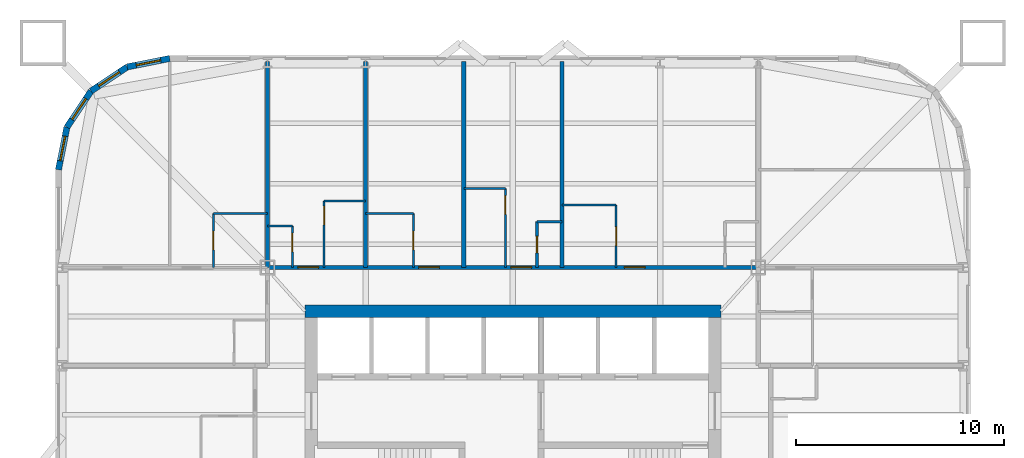
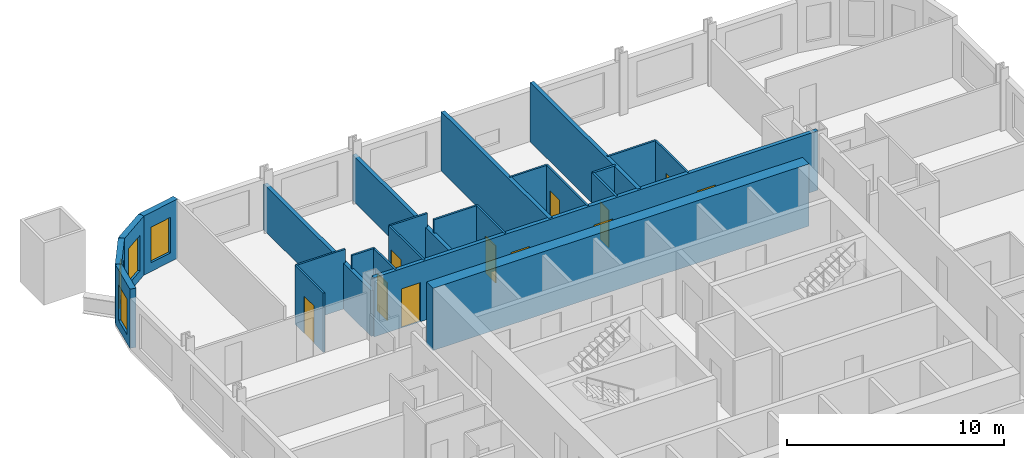
# One storey, part 7 of 10: 24 walls, 11 doors, 4 windows, 15 openings.
"""IFC4 building model written with IfcOpenShell, lengths in metres."""

from ifc_helpers import new_model, si_unit, direction, frame, frame_2d, origin, place, context, subcontext, project, spatial, rectangle, extrude, material, layer, layer_set, type_object, element, fill, save


model = new_model("IFC4")

# Units and contexts
model_context = context("Model", 3, precision=1e-05, world=origin(), true_north=direction((0.0, 1.0)))
body_context = subcontext(model_context, "Body", "Model", "MODEL_VIEW")
ifc_project = project(units=[si_unit("LENGTHUNIT", "METRE"), si_unit("AREAUNIT", "SQUARE_METRE"), si_unit("VOLUMEUNIT", "CUBIC_METRE"), si_unit("PLANEANGLEUNIT", "RADIAN"), si_unit("MASSUNIT", "GRAM", prefix="KILO")], contexts=[model_context])

# Site, building, storey
site_placement = place(None, origin())
site = spatial("IfcSite", under=ifc_project, at=site_placement, CompositionType="ELEMENT")
building_placement = place(site_placement, origin())
building = spatial("IfcBuilding", under=site, at=building_placement, Name="Turquesa Mirador Hotel Tower", CompositionType="ELEMENT")
storey_placement = place(building_placement, frame((0.0, 0.0, 53.0)))
storey = spatial("IfcBuildingStorey", under=building, at=storey_placement, Name="L13", CompositionType="ELEMENT", Elevation=53.0)

# Walls
ifc_material_1 = material(Name="Gypsum board on steel studs", Category="steel")
ifc_layer_1 = layer(ifc_material_1, 0.10009765625)
ifc_layer_set_1 = layer_set([ifc_layer_1], Name="BATHROOM WALL 100")
wall_type_1 = type_object("IfcWallType", Name="BATHROOM WALL 100", PredefinedType="PARTITIONING", material=ifc_layer_set_1)
wall_1_placement = place(storey_placement, frame((43.199951171875, 58.800048828125, 0.0), z_axis=(0.0, 0.0, 1.0), x_axis=(1.0, 0.0, 0.0)))
element("IfcWall", 1, at=wall_1_placement, inside=storey, type_object=wall_type_1, Name="Partition L13 029", PredefinedType="PARTITIONING", context=body_context, shape_type="SweptSolid", body=[
    extrude(rectangle(XDim=1.199951171875, YDim=0.10009765625, at=frame_2d((0.60009765625, 0.0))), origin(), (0.0, 0.0, 1.0), 3.330078125),
])
wall_2_placement = place(storey_placement, frame((40.60009765625, 59.39990234375, 0.0), z_axis=(0.0, 0.0, 1.0), x_axis=(1.0, 0.0, 0.0)))
element("IfcWall", 2, at=wall_2_placement, inside=storey, type_object=wall_type_1, Name="Partition L13 032", PredefinedType="PARTITIONING", context=body_context, shape_type="SweptSolid", body=[
    extrude(rectangle(XDim=2.599853515625, YDim=0.10009765625, at=frame_2d((1.2998046875, 0.0))), origin(), (0.0, 0.0, 1.0), 3.330078125),
])
wall_3_placement = place(storey_placement, frame((47.919921875, 59.39990234375, 0.0), z_axis=(0.0, 0.0, 1.0), x_axis=(1.0, 0.0, 0.0)))
element("IfcWall", 3, at=wall_3_placement, inside=storey, type_object=wall_type_1, Name="Partition L13 033", PredefinedType="PARTITIONING", context=body_context, shape_type="SweptSolid", body=[
    extrude(rectangle(XDim=2.300048828125, YDim=0.10009765625, at=frame_2d((1.14990234375, 0.0))), origin(), (0.0, 0.0, 1.0), 3.330078125),
])
wall_4_placement = place(storey_placement, frame((57.360107421875, 59.800048828125, 0.0), z_axis=(0.0, 0.0, 1.0), x_axis=(1.0, 0.0, 0.0)))
element("IfcWall", 4, at=wall_4_placement, inside=storey, type_object=wall_type_1, Name="Partition L13 034", PredefinedType="PARTITIONING", context=body_context, shape_type="SweptSolid", body=[
    extrude(rectangle(XDim=2.599853515625, YDim=0.10009765625, at=frame_2d((1.2998046875, 0.0))), origin(), (0.0, 0.0, 1.0), 3.330078125),
])
for number, where, z_axis, x_axis, name in (
    (5, (45.919921875, 60.0, 0.0), (0.0, 0.0, 1.0), (1.0, 0.0, 0.0), "Partition L13 035"),
    (6, (52.639892578125, 60.60009765625, 0.0), (0.0, 0.0, 1.0), (1.0, 0.0, 0.0), "Partition L13 036"),
):
    element("IfcWall", number, at=place(storey_placement, frame(where, z_axis=z_axis, x_axis=x_axis)), inside=storey, type_object=wall_type_1, Name=name, PredefinedType="PARTITIONING", context=body_context, shape_type="SweptSolid", body=[
        extrude(rectangle(XDim=2.0, YDim=0.10009765625, at=frame_2d((1.0, 0.0))), origin(), (0.0, 0.0, 1.0), 3.330078125),
    ])

# Wall, opening, door
wall_5_placement = place(storey_placement, frame((54.639892578125, 56.800048828125, 0.0), z_axis=(0.0, 0.0, 1.0), x_axis=(0.0, 1.0, 0.0)))
wall_5 = element("IfcWall", 7, at=wall_5_placement, inside=storey, type_object=wall_type_1, Name="Partition L13 048", PredefinedType="PARTITIONING", context=body_context, shape_type="SweptSolid", body=[
    extrude(rectangle(XDim=3.800048828125, YDim=0.10009765625, at=frame_2d((1.89990234375, 0.0))), origin(), (0.0, 0.0, 1.0), 3.330078125),
])
opening_1_placement = place(wall_5_placement, frame((2.550048828125, 0.0, 0.0)))
opening_1 = element("IfcOpeningElement", 8, at=opening_1_placement, cuts=wall_5, Name="Opening D02", PredefinedType="OPENING", context=body_context, shape_type="SweptSolid", body=[
    extrude(rectangle(XDim=0.89990234375, YDim=2.10009765625, at=frame_2d((0.449951171875, 1.050048828125))), frame((0.0, 0.06005859375, 0.0), z_axis=(0.0, -1.0, 0.0), x_axis=(1.0, 0.0, 0.0)), (0.0, 0.0, 1.0), 0.1201171875),
])
ifc_material_2 = material(Name="Timber veneered door", Category="wood")
door_type_1 = type_object("IfcDoorType", Name="DOOR 900X2100 EN-SUITE", OperationType="SINGLE_SWING_RIGHT", PredefinedType="DOOR", material=ifc_material_2)
door_1_placement = place(opening_1_placement, origin())
door_1 = element("IfcDoor", 9, at=door_1_placement, inside=storey, type_object=door_type_1, Name="Door 1303B", OperationType="SINGLE_SWING_RIGHT", OverallHeight=2.10009765625, OverallWidth=0.89990234375, PredefinedType="DOOR", context=body_context, shape_type="SweptSolid", body=[
    extrude(rectangle(XDim=0.89990234375, YDim=2.10009765625, at=frame_2d((0.449951171875, 1.050048828125))), frame((0.0, 0.02490234375, 0.0), z_axis=(0.0, -1.0, 0.0), x_axis=(1.0, 0.0, 0.0)), (0.0, 0.0, 1.0), 0.050048828125),
])
fill(opening_1, door_1)

wall_6_placement = place(storey_placement, frame((44.39990234375, 56.800048828125, 0.0), z_axis=(0.0, 0.0, 1.0), x_axis=(0.0, 1.0, 0.0)))
wall_6 = element("IfcWall", 10, at=wall_6_placement, inside=storey, type_object=wall_type_1, Name="Partition L13 049", PredefinedType="PARTITIONING", context=body_context, shape_type="SweptSolid", body=[
    extrude(rectangle(XDim=2.0, YDim=0.10009765625, at=frame_2d((1.0, 0.0))), origin(), (0.0, 0.0, 1.0), 3.330078125),
])
opening_2_placement = place(wall_6_placement, frame((0.75, 0.0, 0.0)))
opening_2 = element("IfcOpeningElement", 11, at=opening_2_placement, cuts=wall_6, Name="Opening D06", PredefinedType="OPENING", context=body_context, shape_type="SweptSolid", body=[
    extrude(rectangle(XDim=0.89990234375, YDim=2.10009765625, at=frame_2d((0.449951171875, 1.050048828125))), frame((0.0, 0.06005859375, 0.0), z_axis=(0.0, -1.0, 0.0), x_axis=(1.0, 0.0, 0.0)), (0.0, 0.0, 1.0), 0.1201171875),
])
ifc_material_3 = material(Name="Laminate door", Category="wood")
door_type_2 = type_object("IfcDoorType", Name="DOOR 900X2100 WC", OperationType="SINGLE_SWING_LEFT", PredefinedType="DOOR", material=ifc_material_3)
door_2_placement = place(opening_2_placement, origin())
door_2 = element("IfcDoor", 12, at=door_2_placement, inside=storey, type_object=door_type_2, Name="Door 1301W", OperationType="SINGLE_SWING_LEFT", OverallHeight=2.10009765625, OverallWidth=0.89990234375, PredefinedType="DOOR", context=body_context, shape_type="SweptSolid", body=[
    extrude(rectangle(XDim=0.89990234375, YDim=2.10009765625, at=frame_2d((0.449951171875, 1.050048828125))), frame((0.0, 0.02490234375, 0.0), z_axis=(0.0, -1.0, 0.0), x_axis=(1.0, 0.0, 0.0)), (0.0, 0.0, 1.0), 0.050048828125),
])
fill(opening_2, door_2)

wall_7_placement = place(storey_placement, frame((40.60009765625, 56.800048828125, 0.0), z_axis=(0.0, 0.0, 1.0), x_axis=(0.0, 1.0, 0.0)))
wall_7 = element("IfcWall", 13, at=wall_7_placement, inside=storey, type_object=wall_type_1, Name="Partition L13 058", PredefinedType="PARTITIONING", context=body_context, shape_type="SweptSolid", body=[
    extrude(rectangle(XDim=2.599853515625, YDim=0.10009765625, at=frame_2d((1.2998046875, 0.0))), origin(), (0.0, 0.0, 1.0), 3.330078125),
])
opening_3_placement = place(wall_7_placement, frame((0.85009765625, 0.0, 0.0)))
opening_3 = element("IfcOpeningElement", 14, at=opening_3_placement, cuts=wall_7, Name="Opening D02", PredefinedType="OPENING", context=body_context, shape_type="SweptSolid", body=[
    extrude(rectangle(XDim=0.89990234375, YDim=2.10009765625, at=frame_2d((0.449951171875, 1.050048828125))), frame((0.0, 0.06005859375, 0.0), z_axis=(0.0, -1.0, 0.0), x_axis=(1.0, 0.0, 0.0)), (0.0, 0.0, 1.0), 0.1201171875),
])
door_3_placement = place(opening_3_placement, origin())
door_3 = element("IfcDoor", 15, at=door_3_placement, inside=storey, type_object=door_type_1, Name="Door 1314B", OperationType="SINGLE_SWING_RIGHT", OverallHeight=2.10009765625, OverallWidth=0.89990234375, PredefinedType="DOOR", context=body_context, shape_type="SweptSolid", body=[
    extrude(rectangle(XDim=0.89990234375, YDim=2.10009765625, at=frame_2d((0.449951171875, 1.050048828125))), frame((0.0, 0.02490234375, 0.0), z_axis=(0.0, -1.0, 0.0), x_axis=(1.0, 0.0, 0.0)), (0.0, 0.0, 1.0), 0.050048828125),
])
fill(opening_3, door_3)

wall_8_placement = place(storey_placement, frame((50.219970703125, 56.800048828125, 0.0), z_axis=(0.0, 0.0, 1.0), x_axis=(0.0, 1.0, 0.0)))
wall_8 = element("IfcWall", 16, at=wall_8_placement, inside=storey, type_object=wall_type_1, Name="Partition L13 067", PredefinedType="PARTITIONING", context=body_context, shape_type="SweptSolid", body=[
    extrude(rectangle(XDim=2.599853515625, YDim=0.10009765625, at=frame_2d((1.2998046875, 0.0))), origin(), (0.0, 0.0, 1.0), 3.330078125),
])
opening_4_placement = place(wall_8_placement, frame((0.85009765625, 0.0, 0.0)))
opening_4 = element("IfcOpeningElement", 17, at=opening_4_placement, cuts=wall_8, Name="Opening D02", PredefinedType="OPENING", context=body_context, shape_type="SweptSolid", body=[
    extrude(rectangle(XDim=0.89990234375, YDim=2.10009765625, at=frame_2d((0.449951171875, 1.050048828125))), frame((0.0, 0.06005859375, 0.0), z_axis=(0.0, -1.0, 0.0), x_axis=(1.0, 0.0, 0.0)), (0.0, 0.0, 1.0), 0.1201171875),
])
door_4_placement = place(opening_4_placement, origin())
door_4 = element("IfcDoor", 18, at=door_4_placement, inside=storey, type_object=door_type_1, Name="Door 1302B", OperationType="SINGLE_SWING_RIGHT", OverallHeight=2.10009765625, OverallWidth=0.89990234375, PredefinedType="DOOR", context=body_context, shape_type="SweptSolid", body=[
    extrude(rectangle(XDim=0.89990234375, YDim=2.10009765625, at=frame_2d((0.449951171875, 1.050048828125))), frame((0.0, 0.02490234375, 0.0), z_axis=(0.0, -1.0, 0.0), x_axis=(1.0, 0.0, 0.0)), (0.0, 0.0, 1.0), 0.050048828125),
])
fill(opening_4, door_4)

wall_9_placement = place(storey_placement, frame((45.919921875, 56.800048828125, 0.0), z_axis=(0.0, 0.0, 1.0), x_axis=(0.0, 1.0, 0.0)))
wall_9 = element("IfcWall", 19, at=wall_9_placement, inside=storey, type_object=wall_type_1, Name="Partition L13 069", PredefinedType="PARTITIONING", context=body_context, shape_type="SweptSolid", body=[
    extrude(rectangle(XDim=3.199951171875, YDim=0.10009765625, at=frame_2d((1.60009765625, 0.0))), origin(), (0.0, 0.0, 1.0), 3.330078125),
])
opening_5_placement = place(wall_9_placement, frame((2.050048828125, 0.0, 0.0)))
opening_5 = element("IfcOpeningElement", 20, at=opening_5_placement, cuts=wall_9, Name="Opening D02", PredefinedType="OPENING", context=body_context, shape_type="SweptSolid", body=[
    extrude(rectangle(XDim=0.89990234375, YDim=2.10009765625, at=frame_2d((0.449951171875, 1.050048828125))), frame((0.0, 0.06005859375, 0.0), z_axis=(0.0, -1.0, 0.0), x_axis=(1.0, 0.0, 0.0)), (0.0, 0.0, 1.0), 0.1201171875),
])
door_5_placement = place(opening_5_placement, origin())
door_5 = element("IfcDoor", 21, at=door_5_placement, inside=storey, type_object=door_type_1, Name="Door 1301B", OperationType="SINGLE_SWING_RIGHT", OverallHeight=2.10009765625, OverallWidth=0.89990234375, PredefinedType="DOOR", context=body_context, shape_type="SweptSolid", body=[
    extrude(rectangle(XDim=0.89990234375, YDim=2.10009765625, at=frame_2d((0.449951171875, 1.050048828125))), frame((0.0, 0.02490234375, 0.0), z_axis=(0.0, -1.0, 0.0), x_axis=(1.0, 0.0, 0.0)), (0.0, 0.0, 1.0), 0.050048828125),
])
fill(opening_5, door_5)

wall_10_placement = place(storey_placement, frame((59.9599609375, 56.800048828125, 0.0), z_axis=(0.0, 0.0, 1.0), x_axis=(0.0, 1.0, 0.0)))
wall_10 = element("IfcWall", 22, at=wall_10_placement, inside=storey, type_object=wall_type_1, Name="Partition L13 089", PredefinedType="PARTITIONING", context=body_context, shape_type="SweptSolid", body=[
    extrude(rectangle(XDim=3.0, YDim=0.10009765625, at=frame_2d((1.5, 0.0))), origin(), (0.0, 0.0, 1.0), 3.330078125),
])
opening_6_placement = place(wall_10_placement, frame((1.050048828125, 0.0, 0.0)))
opening_6 = element("IfcOpeningElement", 23, at=opening_6_placement, cuts=wall_10, Name="Opening D02", PredefinedType="OPENING", context=body_context, shape_type="SweptSolid", body=[
    extrude(rectangle(XDim=0.89990234375, YDim=2.10009765625, at=frame_2d((0.449951171875, 1.050048828125))), frame((0.0, 0.06005859375, 0.0), z_axis=(0.0, -1.0, 0.0), x_axis=(1.0, 0.0, 0.0)), (0.0, 0.0, 1.0), 0.1201171875),
])
door_6_placement = place(opening_6_placement, origin())
door_6 = element("IfcDoor", 24, at=door_6_placement, inside=storey, type_object=door_type_1, Name="Door 1304B", OperationType="SINGLE_SWING_RIGHT", OverallHeight=2.10009765625, OverallWidth=0.89990234375, PredefinedType="DOOR", context=body_context, shape_type="SweptSolid", body=[
    extrude(rectangle(XDim=0.89990234375, YDim=2.10009765625, at=frame_2d((0.449951171875, 1.050048828125))), frame((0.0, 0.02490234375, 0.0), z_axis=(0.0, -1.0, 0.0), x_axis=(1.0, 0.0, 0.0)), (0.0, 0.0, 1.0), 0.050048828125),
])
fill(opening_6, door_6)

# Wall
ifc_material_4 = material(Name="Concrete C50/60", Category="concrete")
ifc_layer_2 = layer(ifc_material_4, 0.60009765625)
ifc_layer_set_2 = layer_set([ifc_layer_2], Name="CORE WALL 600")
wall_type_2 = type_object("IfcWallType", Name="CORE WALL 600", PredefinedType="SHEAR", material=ifc_layer_set_2)
wall_11_placement = place(storey_placement, frame((45.0, 54.699951171875, 0.0), z_axis=(0.0, 0.0, 1.0), x_axis=(1.0, 0.0, 0.0)))
element("IfcWall", 25, at=wall_11_placement, inside=storey, type_object=wall_type_2, Name="Core wall N", PredefinedType="SHEAR", context=body_context, shape_type="SweptSolid", body=[
    extrude(rectangle(XDim=20.0, YDim=0.60009765625, at=frame_2d((10.0, 0.0))), origin(), (0.0, 0.0, 1.0), 3.5),
])

# Wall, openings, doors
ifc_material_5 = material(Name="Fire-rated gypsum board on steel studs", Category="steel")
ifc_layer_3 = layer(ifc_material_5, 0.199951171875)
ifc_layer_set_3 = layer_set([ifc_layer_3], Name="CORRIDOR WALL 200")
wall_type_3 = type_object("IfcWallType", Name="CORRIDOR WALL 200", PredefinedType="PARTITIONING", material=ifc_layer_set_3)
wall_12_placement = place(storey_placement, frame((43.199951171875, 56.800048828125, 0.0), z_axis=(0.0, 0.0, 1.0), x_axis=(1.0, 0.0, 0.0)))
wall_12 = element("IfcWall", 26, at=wall_12_placement, inside=storey, type_object=wall_type_3, Name="Partition L13 026", PredefinedType="PARTITIONING", context=body_context, shape_type="SweptSolid", body=[
    extrude(rectangle(XDim=23.60009765625, YDim=0.199951171875, at=frame_2d((11.800048828125, 0.0))), origin(), (0.0, 0.0, 1.0), 3.330078125),
])
opening_7_placement = place(wall_12_placement, frame((1.4599609375, 0.0, 0.0)))
opening_7 = element("IfcOpeningElement", 27, at=opening_7_placement, cuts=wall_12, Name="Opening D01", PredefinedType="OPENING", context=body_context, shape_type="SweptSolid", body=[
    extrude(rectangle(XDim=1.0, YDim=2.199951171875, at=frame_2d((0.5, 1.10009765625))), frame((0.0, 0.10986328125, 0.0), z_axis=(0.0, -1.0, 0.0), x_axis=(1.0, 0.0, 0.0)), (0.0, 0.0, 1.0), 0.219970703125),
])
opening_8_placement = place(wall_12_placement, frame((7.27001953125, 0.0, 0.0)))
opening_8 = element("IfcOpeningElement", 28, at=opening_8_placement, cuts=wall_12, Name="Opening D01", PredefinedType="OPENING", context=body_context, shape_type="SweptSolid", body=[
    extrude(rectangle(XDim=1.0, YDim=2.199951171875, at=frame_2d((0.5, 1.10009765625))), frame((0.0, 0.10986328125, 0.0), z_axis=(0.0, -1.0, 0.0), x_axis=(1.0, 0.0, 0.0)), (0.0, 0.0, 1.0), 0.219970703125),
])
opening_9_placement = place(wall_12_placement, frame((11.699951171875, 0.0, 0.0)))
opening_9 = element("IfcOpeningElement", 29, at=opening_9_placement, cuts=wall_12, Name="Opening D01", PredefinedType="OPENING", context=body_context, shape_type="SweptSolid", body=[
    extrude(rectangle(XDim=1.0, YDim=2.199951171875, at=frame_2d((0.5, 1.10009765625))), frame((0.0, 0.10986328125, 0.0), z_axis=(0.0, -1.0, 0.0), x_axis=(1.0, 0.0, 0.0)), (0.0, 0.0, 1.0), 0.219970703125),
])
opening_10_placement = place(wall_12_placement, frame((17.159912109375, 0.0, 0.0)))
opening_10 = element("IfcOpeningElement", 30, at=opening_10_placement, cuts=wall_12, Name="Opening D01", PredefinedType="OPENING", context=body_context, shape_type="SweptSolid", body=[
    extrude(rectangle(XDim=1.0, YDim=2.199951171875, at=frame_2d((0.5, 1.10009765625))), frame((0.0, 0.10986328125, 0.0), z_axis=(0.0, -1.0, 0.0), x_axis=(1.0, 0.0, 0.0)), (0.0, 0.0, 1.0), 0.219970703125),
])
ifc_material_6 = material(Name="Timber veneered fire door", Category="wood")
door_type_3 = type_object("IfcDoorType", Name="DOOR 1000X2200 GUEST ENTRY", OperationType="SINGLE_SWING_LEFT", PredefinedType="DOOR", material=ifc_material_6)
door_7_placement = place(opening_7_placement, origin())
door_7 = element("IfcDoor", 31, at=door_7_placement, inside=storey, type_object=door_type_3, Name="Door 1301", OperationType="SINGLE_SWING_LEFT", OverallHeight=2.199951171875, OverallWidth=1.0, PredefinedType="DOOR", context=body_context, shape_type="SweptSolid", body=[
    extrude(rectangle(XDim=1.0, YDim=2.199951171875, at=frame_2d((0.5, 1.10009765625))), frame((0.0, 0.02490234375, 0.0), z_axis=(0.0, -1.0, 0.0), x_axis=(1.0, 0.0, 0.0)), (0.0, 0.0, 1.0), 0.050048828125),
])
fill(opening_7, door_7)
door_8_placement = place(opening_8_placement, origin())
door_8 = element("IfcDoor", 32, at=door_8_placement, inside=storey, type_object=door_type_3, Name="Door 1302", OperationType="SINGLE_SWING_LEFT", OverallHeight=2.199951171875, OverallWidth=1.0, PredefinedType="DOOR", context=body_context, shape_type="SweptSolid", body=[
    extrude(rectangle(XDim=1.0, YDim=2.199951171875, at=frame_2d((0.5, 1.10009765625))), frame((0.0, 0.02490234375, 0.0), z_axis=(0.0, -1.0, 0.0), x_axis=(1.0, 0.0, 0.0)), (0.0, 0.0, 1.0), 0.050048828125),
])
fill(opening_8, door_8)
door_9_placement = place(opening_9_placement, origin())
door_9 = element("IfcDoor", 33, at=door_9_placement, inside=storey, type_object=door_type_3, Name="Door 1303", OperationType="SINGLE_SWING_LEFT", OverallHeight=2.199951171875, OverallWidth=1.0, PredefinedType="DOOR", context=body_context, shape_type="SweptSolid", body=[
    extrude(rectangle(XDim=1.0, YDim=2.199951171875, at=frame_2d((0.5, 1.10009765625))), frame((0.0, 0.02490234375, 0.0), z_axis=(0.0, -1.0, 0.0), x_axis=(1.0, 0.0, 0.0)), (0.0, 0.0, 1.0), 0.050048828125),
])
fill(opening_9, door_9)
door_10_placement = place(opening_10_placement, origin())
door_10 = element("IfcDoor", 34, at=door_10_placement, inside=storey, type_object=door_type_3, Name="Door 1304", OperationType="SINGLE_SWING_LEFT", OverallHeight=2.199951171875, OverallWidth=1.0, PredefinedType="DOOR", context=body_context, shape_type="SweptSolid", body=[
    extrude(rectangle(XDim=1.0, YDim=2.199951171875, at=frame_2d((0.5, 1.10009765625))), frame((0.0, 0.02490234375, 0.0), z_axis=(0.0, -1.0, 0.0), x_axis=(1.0, 0.0, 0.0)), (0.0, 0.0, 1.0), 0.050048828125),
])
fill(opening_10, door_10)

# Wall, opening, window
ifc_material_7 = material(Name="Limestone cladding on concrete block", Category="masonry")
ifc_layer_4 = layer(ifc_material_7, 0.300048828125)
ifc_layer_set_4 = layer_set([ifc_layer_4], Name="FACADE WALL 300 STONE SCREEN")
wall_type_4 = type_object("IfcWallType", Name="FACADE WALL 300 STONE SCREEN", PredefinedType="SOLIDWALL", material=ifc_layer_set_4)
wall_13_placement = place(storey_placement, frame((38.5, 66.85009765625, 0.0), z_axis=(0.0, 0.0, 1.0), x_axis=(-0.980787050784, -0.195081421501, 0.0)))
wall_13 = element("IfcWall", 35, at=wall_13_placement, inside=storey, type_object=wall_type_4, Name="Facade wall L13 10", PredefinedType="SOLIDWALL", context=body_context, shape_type="SweptSolid", body=[
    extrude(rectangle(XDim=2.08740234375, YDim=0.300048828125, at=frame_2d((1.043701171875, 0.0))), origin(), (0.0, 0.0, 1.0), 3.330078125),
])
opening_11_placement = place(wall_13_placement, frame((0.443603515625, 0.0, 0.5)))
opening_11 = element("IfcOpeningElement", 36, at=opening_11_placement, cuts=wall_13, Name="Opening WN4", PredefinedType="OPENING", context=body_context, shape_type="SweptSolid", body=[
    extrude(rectangle(XDim=1.199951171875, YDim=2.0, at=frame_2d((0.60009765625, 1.0))), frame((0.0, 0.159912109375, 0.0), z_axis=(0.0, -1.0, 0.0), x_axis=(1.0, 0.0, 0.0)), (0.0, 0.0, 1.0), 0.320068359375),
])
ifc_material_8 = material(Name="Ceramic-fritted laminated glass", Category="glass")
window_type = type_object("IfcWindowType", Name="FRITTED CORNER WINDOW 1200X2000", PartitioningType="DOUBLE_PANEL_HORIZONTAL", PredefinedType="WINDOW", material=ifc_material_8)
window_1_placement = place(opening_11_placement, origin())
window_1 = element("IfcWindow", 37, at=window_1_placement, inside=storey, type_object=window_type, Name="Window L13", OverallHeight=2.0, OverallWidth=1.199951171875, PartitioningType="SINGLE_PANEL", PredefinedType="WINDOW", context=body_context, shape_type="SweptSolid", body=[
    extrude(rectangle(XDim=1.199951171875, YDim=2.0, at=frame_2d((0.60009765625, 1.0))), frame((0.0, 0.030029296875, 0.0), z_axis=(0.0, -1.0, 0.0), x_axis=(1.0, 0.0, 0.0)), (0.0, 0.0, 1.0), 0.06005859375),
])
fill(opening_11, window_1)

wall_14_placement = place(storey_placement, frame((36.45263671875, 66.44287109375, 0.0), z_axis=(0.0, 0.0, 1.0), x_axis=(-0.831420010345, -0.555644460423, 0.0)))
wall_14 = element("IfcWall", 38, at=wall_14_placement, inside=storey, type_object=wall_type_4, Name="Facade wall L13 11", PredefinedType="SOLIDWALL", context=body_context, shape_type="SweptSolid", body=[
    extrude(rectangle(XDim=2.08740234375, YDim=0.300048828125, at=frame_2d((1.043701171875, 0.0))), origin(), (0.0, 0.0, 1.0), 3.330078125),
])
opening_12_placement = place(wall_14_placement, frame((0.443603515625, 0.0, 0.5)))
opening_12 = element("IfcOpeningElement", 39, at=opening_12_placement, cuts=wall_14, Name="Opening WN4", PredefinedType="OPENING", context=body_context, shape_type="SweptSolid", body=[
    extrude(rectangle(XDim=1.199951171875, YDim=2.0, at=frame_2d((0.60009765625, 1.0))), frame((0.0, 0.159912109375, 0.0), z_axis=(0.0, -1.0, 0.0), x_axis=(1.0, 0.0, 0.0)), (0.0, 0.0, 1.0), 0.320068359375),
])
window_2_placement = place(opening_12_placement, origin())
window_2 = element("IfcWindow", 40, at=window_2_placement, inside=storey, type_object=window_type, Name="Window L13", OverallHeight=2.0, OverallWidth=1.199951171875, PartitioningType="SINGLE_PANEL", PredefinedType="WINDOW", context=body_context, shape_type="SweptSolid", body=[
    extrude(rectangle(XDim=1.199951171875, YDim=2.0, at=frame_2d((0.60009765625, 1.0))), frame((0.0, 0.030029296875, 0.0), z_axis=(0.0, -1.0, 0.0), x_axis=(1.0, 0.0, 0.0)), (0.0, 0.0, 1.0), 0.06005859375),
])
fill(opening_12, window_2)

wall_15_placement = place(storey_placement, frame((34.717041015625, 65.282958984375, 0.0), z_axis=(0.0, 0.0, 1.0), x_axis=(-0.555644460423, -0.831420010345, 0.0)))
wall_15 = element("IfcWall", 41, at=wall_15_placement, inside=storey, type_object=wall_type_4, Name="Facade wall L13 12", PredefinedType="SOLIDWALL", context=body_context, shape_type="SweptSolid", body=[
    extrude(rectangle(XDim=2.08740234375, YDim=0.300048828125, at=frame_2d((1.043701171875, 0.0))), origin(), (0.0, 0.0, 1.0), 3.330078125),
])
opening_13_placement = place(wall_15_placement, frame((0.443603515625, 0.0, 0.5)))
opening_13 = element("IfcOpeningElement", 42, at=opening_13_placement, cuts=wall_15, Name="Opening WN4", PredefinedType="OPENING", context=body_context, shape_type="SweptSolid", body=[
    extrude(rectangle(XDim=1.199951171875, YDim=2.0, at=frame_2d((0.60009765625, 1.0))), frame((0.0, 0.159912109375, 0.0), z_axis=(0.0, -1.0, 0.0), x_axis=(1.0, 0.0, 0.0)), (0.0, 0.0, 1.0), 0.320068359375),
])
window_3_placement = place(opening_13_placement, origin())
window_3 = element("IfcWindow", 43, at=window_3_placement, inside=storey, type_object=window_type, Name="Window L13", OverallHeight=2.0, OverallWidth=1.199951171875, PartitioningType="SINGLE_PANEL", PredefinedType="WINDOW", context=body_context, shape_type="SweptSolid", body=[
    extrude(rectangle(XDim=1.199951171875, YDim=2.0, at=frame_2d((0.60009765625, 1.0))), frame((0.0, 0.030029296875, 0.0), z_axis=(0.0, -1.0, 0.0), x_axis=(1.0, 0.0, 0.0)), (0.0, 0.0, 1.0), 0.06005859375),
])
fill(opening_13, window_3)

wall_16_placement = place(storey_placement, frame((33.55712890625, 63.54736328125, 0.0), z_axis=(0.0, 0.0, 1.0), x_axis=(-0.195081421501, -0.980787050784, 0.0)))
wall_16 = element("IfcWall", 44, at=wall_16_placement, inside=storey, type_object=wall_type_4, Name="Facade wall L13 13", PredefinedType="SOLIDWALL", context=body_context, shape_type="SweptSolid", body=[
    extrude(rectangle(XDim=2.08740234375, YDim=0.300048828125, at=frame_2d((1.043701171875, 0.0))), origin(), (0.0, 0.0, 1.0), 3.330078125),
])
opening_14_placement = place(wall_16_placement, frame((0.443603515625, 0.0, 0.5)))
opening_14 = element("IfcOpeningElement", 45, at=opening_14_placement, cuts=wall_16, Name="Opening WN4", PredefinedType="OPENING", context=body_context, shape_type="SweptSolid", body=[
    extrude(rectangle(XDim=1.199951171875, YDim=2.0, at=frame_2d((0.60009765625, 1.0))), frame((0.0, 0.159912109375, 0.0), z_axis=(0.0, -1.0, 0.0), x_axis=(1.0, 0.0, 0.0)), (0.0, 0.0, 1.0), 0.320068359375),
])
window_4_placement = place(opening_14_placement, origin())
window_4 = element("IfcWindow", 46, at=window_4_placement, inside=storey, type_object=window_type, Name="Window L13", OverallHeight=2.0, OverallWidth=1.199951171875, PartitioningType="SINGLE_PANEL", PredefinedType="WINDOW", context=body_context, shape_type="SweptSolid", body=[
    extrude(rectangle(XDim=1.199951171875, YDim=2.0, at=frame_2d((0.60009765625, 1.0))), frame((0.0, 0.030029296875, 0.0), z_axis=(0.0, -1.0, 0.0), x_axis=(1.0, 0.0, 0.0)), (0.0, 0.0, 1.0), 0.06005859375),
])
fill(opening_14, window_4)

# Walls
ifc_material_9 = material(Name="Fire-rated gypsum board on steel studs", Category="steel")
ifc_layer_5 = layer(ifc_material_9, 0.199951171875)
ifc_layer_set_5 = layer_set([ifc_layer_5], Name="PARTY WALL 200")
wall_type_5 = type_object("IfcWallType", Name="PARTY WALL 200", PredefinedType="PARTITIONING", material=ifc_layer_set_5)
wall_17_placement = place(storey_placement, frame((43.199951171875, 56.800048828125, 0.0), z_axis=(0.0, 0.0, 1.0), x_axis=(0.0, 1.0, 0.0)))
element("IfcWall", 47, at=wall_17_placement, inside=storey, type_object=wall_type_5, Name="Partition L13 053", PredefinedType="PARTITIONING", context=body_context, shape_type="SweptSolid", body=[
    extrude(rectangle(XDim=9.89990234375, YDim=0.199951171875, at=frame_2d((4.949951171875, 0.0))), origin(), (0.0, 0.0, 1.0), 2.572998046875),
])
wall_18_placement = place(storey_placement, frame((52.639892578125, 56.800048828125, 0.0), z_axis=(0.0, 0.0, 1.0), x_axis=(0.0, 1.0, 0.0)))
element("IfcWall", 48, at=wall_18_placement, inside=storey, type_object=wall_type_5, Name="Partition L13 065", PredefinedType="PARTITIONING", context=body_context, shape_type="SweptSolid", body=[
    extrude(rectangle(XDim=9.89990234375, YDim=0.199951171875, at=frame_2d((4.949951171875, 0.0))), origin(), (0.0, 0.0, 1.0), 3.330078125),
])
wall_19_placement = place(storey_placement, frame((47.919921875, 56.800048828125, 0.0), z_axis=(0.0, 0.0, 1.0), x_axis=(0.0, 1.0, 0.0)))
element("IfcWall", 49, at=wall_19_placement, inside=storey, type_object=wall_type_5, Name="Partition L13 068", PredefinedType="PARTITIONING", context=body_context, shape_type="SweptSolid", body=[
    extrude(rectangle(XDim=9.89990234375, YDim=0.199951171875, at=frame_2d((4.949951171875, 0.0))), origin(), (0.0, 0.0, 1.0), 2.572998046875),
])
wall_20_placement = place(storey_placement, frame((57.360107421875, 56.800048828125, 0.0), z_axis=(0.0, 0.0, 1.0), x_axis=(0.0, 1.0, 0.0)))
element("IfcWall", 50, at=wall_20_placement, inside=storey, type_object=wall_type_5, Name="Partition L13 088", PredefinedType="PARTITIONING", context=body_context, shape_type="SweptSolid", body=[
    extrude(rectangle(XDim=9.89990234375, YDim=0.199951171875, at=frame_2d((4.949951171875, 0.0))), origin(), (0.0, 0.0, 1.0), 3.330078125),
])
ifc_material_10 = material(Name="Acoustic gypsum board on steel studs", Category="steel")
ifc_layer_6 = layer(ifc_material_10, 0.125)
ifc_layer_set_6 = layer_set([ifc_layer_6], Name="SUITE PARTITION 125")
wall_type_6 = type_object("IfcWallType", Name="SUITE PARTITION 125", PredefinedType="PARTITIONING", material=ifc_layer_set_6)
wall_21_placement = place(storey_placement, frame((56.159912109375, 59.0, 0.0), z_axis=(0.0, 0.0, 1.0), x_axis=(1.0, 0.0, 0.0)))
element("IfcWall", 51, at=wall_21_placement, inside=storey, type_object=wall_type_6, Name="Partition L13 030", PredefinedType="PARTITIONING", context=body_context, shape_type="SweptSolid", body=[
    extrude(rectangle(XDim=1.2001953125, YDim=0.125, at=frame_2d((0.60009765625, 0.0))), origin(), (0.0, 0.0, 1.0), 3.330078125),
])

# Wall, opening, door
wall_22_placement = place(storey_placement, frame((56.159912109375, 56.800048828125, 0.0), z_axis=(0.0, 0.0, 1.0), x_axis=(0.0, 1.0, 0.0)))
wall_22 = element("IfcWall", 52, at=wall_22_placement, inside=storey, type_object=wall_type_6, Name="Partition L13 072", PredefinedType="PARTITIONING", context=body_context, shape_type="SweptSolid", body=[
    extrude(rectangle(XDim=2.199951171875, YDim=0.125, at=frame_2d((1.10009765625, 0.0))), origin(), (0.0, 0.0, 1.0), 3.330078125),
])
opening_15_placement = place(wall_22_placement, frame((0.699951171875, 0.0, 0.0)))
opening_15 = element("IfcOpeningElement", 53, at=opening_15_placement, cuts=wall_22, Name="Opening D20", PredefinedType="OPENING", context=body_context, shape_type="SweptSolid", body=[
    extrude(rectangle(XDim=0.800048828125, YDim=2.10009765625, at=frame_2d((0.39990234375, 1.050048828125))), frame((0.0, 0.072509765625, 0.0), z_axis=(0.0, -1.0, 0.0), x_axis=(1.0, 0.0, 0.0)), (0.0, 0.0, 1.0), 0.14501953125),
])
ifc_material_11 = material(Name="Timber veneered sliding door", Category="wood")
door_type_4 = type_object("IfcDoorType", Name="DOOR 800X2100 WARDROBE", OperationType="SLIDING_TO_LEFT", PredefinedType="DOOR", material=ifc_material_11)
door_11_placement = place(opening_15_placement, origin())
door_11 = element("IfcDoor", 54, at=door_11_placement, inside=storey, type_object=door_type_4, Name="Door 1303W", OperationType="SLIDING_TO_LEFT", OverallHeight=2.10009765625, OverallWidth=0.800048828125, PredefinedType="DOOR", context=body_context, shape_type="SweptSolid", body=[
    extrude(rectangle(XDim=0.800048828125, YDim=2.10009765625, at=frame_2d((0.39990234375, 1.050048828125))), frame((0.0, 0.02490234375, 0.0), z_axis=(0.0, -1.0, 0.0), x_axis=(1.0, 0.0, 0.0)), (0.0, 0.0, 1.0), 0.050048828125),
])
fill(opening_15, door_11)

save(model, "model.ifc")
